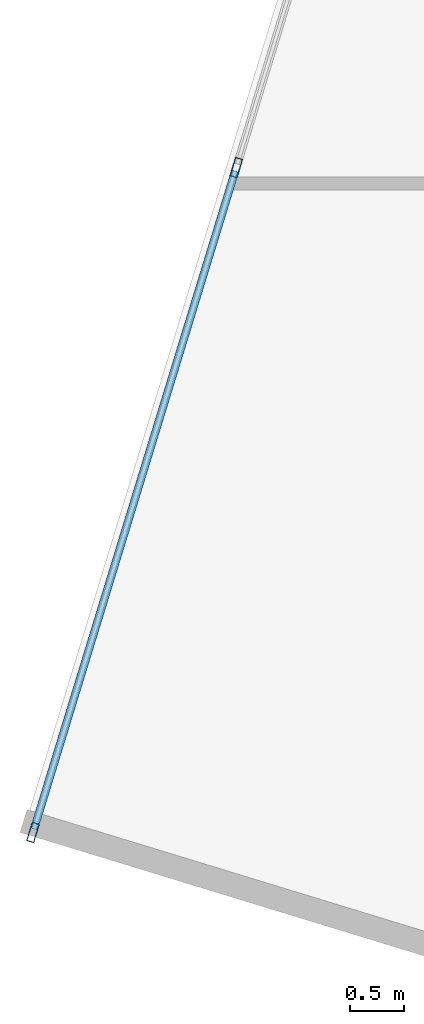
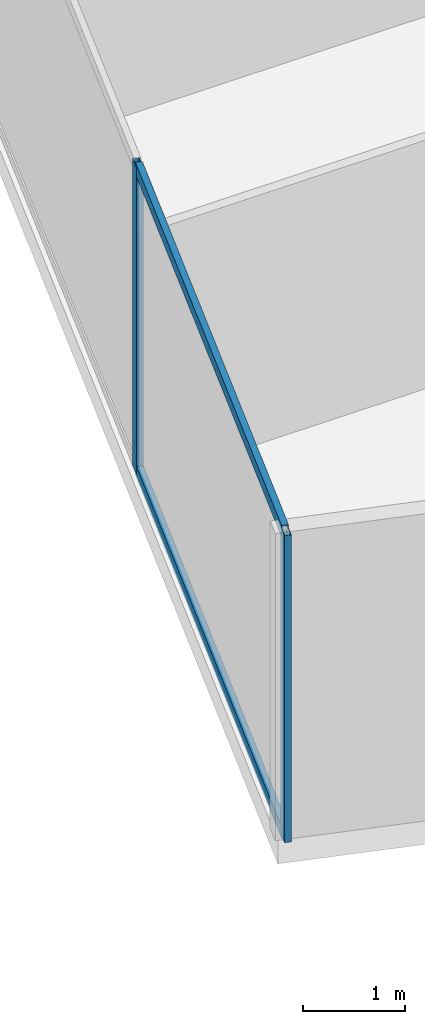
# One storey, part 5 of 26: 4 members, 1 element without a shape of its own.
"""IFC4 building model written with IfcOpenShell, lengths in metres."""

import ifcopenshell
import ifcopenshell.guid

model = None  # the IFC model being written
_history = None  # IfcOwnerHistory: only IFC2X3 demands one
_inside = {}  # id of a spatial element -> (the spatial element, [elements in it])
_under = {}  # id of a project, library or spatial element -> (it, [spatial elements below it])
_declared = {}  # id of a project -> (the project, [libraries it declares])
_typed = {}  # id of a type object -> (the type object, [elements of that type])
_made_of = {}  # id of a material, layer set ... -> (it, [elements and type objects made of it])


def new_model(schema):
    """Start an empty IFC model of exactly this schema.

    Asked for "IFC4X3", IfcOpenShell would pick the latest addendum, in which some entities
    have other attributes; the version numbers below select the first issue.
    IFC2X3 requires an IfcOwnerHistory on every rooted entity: one is made here for all.
    """
    global model, _history
    if schema == "IFC4X3":
        model = ifcopenshell.file(schema_version=(4, 3, 0, 0))
    else:
        model = ifcopenshell.file(schema=schema)
    _inside.clear()
    _under.clear()
    _declared.clear()
    _typed.clear()
    _made_of.clear()
    _history = None
    if model.schema == "IFC2X3":
        org = make("IfcOrganization", Name="unknown")
        user = make(
            "IfcPersonAndOrganization",
            ThePerson=make("IfcPerson", FamilyName="unknown"),
            TheOrganization=org,
        )
        app = make(
            "IfcApplication",
            ApplicationDeveloper=org,
            Version="unknown",
            ApplicationFullName="unknown",
            ApplicationIdentifier="unknown",
        )
        _history = make(
            "IfcOwnerHistory",
            OwningUser=user,
            OwningApplication=app,
            ChangeAction="ADDED",
            CreationDate=0,
        )
    return model


def make(cls, **values):
    """One entity of the class cls with the attributes given. An attribute that is None is left unset."""
    return model.create_entity(
        cls, **{name: value for name, value in values.items() if value is not None}
    )


def rooted(cls, **values):
    """An entity with a GlobalId (a new one), such as an element, a storey or a relation."""
    return make(cls, GlobalId=ifcopenshell.guid.new(), OwnerHistory=_history, **values)


def si_unit(unit_type, name, prefix=None):
    """IfcSIUnit, for example si_unit("LENGTHUNIT", "METRE", prefix="MILLI")."""
    return make("IfcSIUnit", UnitType=unit_type, Prefix=prefix, Name=name)


def assignment(units):
    """IfcUnitAssignment: the units of a project."""
    return None if units is None else make("IfcUnitAssignment", Units=units)


def point(xyz):
    """IfcCartesianPoint."""
    return None if xyz is None else make("IfcCartesianPoint", Coordinates=xyz)


def direction(xyz):
    """IfcDirection."""
    return None if xyz is None else make("IfcDirection", DirectionRatios=xyz)


def frame(location, z_axis=None, x_axis=None):
    """IfcAxis2Placement3D, a coordinate frame: its origin and axes. An axis left out is left unset."""
    return make(
        "IfcAxis2Placement3D",
        Location=point(location),
        Axis=direction(z_axis),
        RefDirection=direction(x_axis),
    )


def frame_2d(location, x_axis=None):
    """IfcAxis2Placement2D, a coordinate frame in the plane: its origin and x axis."""
    return make(
        "IfcAxis2Placement2D", Location=point(location), RefDirection=direction(x_axis)
    )


def origin():
    """The frame at (0, 0, 0) with its axes left unset."""
    return frame((0.0, 0.0, 0.0))


def origin_2d():
    """The frame at (0, 0) in the plane with its x axis left unset."""
    return frame_2d((0.0, 0.0))


def place(relative_to, where):
    """IfcLocalPlacement: puts the frame where relative to a parent placement (None: the world)."""
    return make(
        "IfcLocalPlacement", PlacementRelTo=relative_to, RelativePlacement=where
    )


def context(
    kind, dimensions, precision=None, world=None, true_north=None, identifier=None
):
    """IfcGeometricRepresentationContext, for example the 3D "Model" context."""
    return make(
        "IfcGeometricRepresentationContext",
        ContextIdentifier=identifier,
        ContextType=kind,
        CoordinateSpaceDimension=dimensions,
        Precision=precision,
        WorldCoordinateSystem=world,
        TrueNorth=true_north,
    )


def subcontext(parent, identifier, kind, view, scale=None):
    """IfcGeometricRepresentationSubContext, for example "Body" below "Model"."""
    return make(
        "IfcGeometricRepresentationSubContext",
        ContextIdentifier=identifier,
        ContextType=kind,
        ParentContext=parent,
        TargetScale=scale,
        TargetView=view,
    )


def project(units=None, contexts=None):
    """IfcProject with its units and contexts."""
    return rooted(
        "IfcProject",
        Name="project",
        RepresentationContexts=contexts,
        UnitsInContext=assignment(units),
    )


def spatial(cls, under=None, at=None, **own):
    """A site, building, storey or space (cls), placed at a placement, below another one or the project."""
    s = rooted(cls, ObjectPlacement=at, **own)
    if under is not None:
        _under.setdefault(under.id(), (under, []))[1].append(s)
    return s


def profile(cls, at=None, kind="AREA", **sizes):
    """A parametric profile (cls). Its sizes go by their IFC names, for example OverallWidth=200.0."""
    return make(cls, ProfileType=kind, Position=at, **sizes)


def hollow_rectangle(**sizes):
    """IfcRectangleHollowProfileDef."""
    return profile("IfcRectangleHollowProfileDef", **sizes)


def extrude(swept, where, along, depth):
    """IfcExtrudedAreaSolid: the profile swept, set in the frame where, extruded along a direction by depth."""
    return make(
        "IfcExtrudedAreaSolid",
        SweptArea=swept,
        Position=where,
        ExtrudedDirection=direction(along),
        Depth=depth,
    )


def shape(context_of_items, identifier, shape_type, items):
    """IfcShapeRepresentation: the items that make up one representation, for example the "Body"."""
    return make(
        "IfcShapeRepresentation",
        ContextOfItems=context_of_items,
        RepresentationIdentifier=identifier,
        RepresentationType=shape_type,
        Items=items,
    )


def source(mapping_origin, context_of_items, identifier, shape_type, items):
    """IfcRepresentationMap: a shape defined once, which mapped items show again and again."""
    return make(
        "IfcRepresentationMap",
        MappingOrigin=mapping_origin,
        MappedRepresentation=shape(context_of_items, identifier, shape_type, items),
    )


def transform(
    local_origin,
    x_axis=None,
    y_axis=None,
    z_axis=None,
    scale=None,
    scale2=None,
    scale3=None,
    uniform=True,
):
    """IfcCartesianTransformationOperator3D, or its non-uniform kind. x_axis, y_axis, z_axis: its Axis1, 2, 3."""
    if uniform:
        return make(
            "IfcCartesianTransformationOperator3D",
            Axis1=direction(x_axis),
            Axis2=direction(y_axis),
            LocalOrigin=point(local_origin),
            Scale=scale,
            Axis3=direction(z_axis),
        )
    return make(
        "IfcCartesianTransformationOperator3DnonUniform",
        Axis1=direction(x_axis),
        Axis2=direction(y_axis),
        LocalOrigin=point(local_origin),
        Scale=scale,
        Axis3=direction(z_axis),
        Scale2=scale2,
        Scale3=scale3,
    )


def mapped(mapping_source, mapping_target):
    """IfcMappedItem: shows the shape of a source again, moved by a transform."""
    return make(
        "IfcMappedItem", MappingSource=mapping_source, MappingTarget=mapping_target
    )


def material(Name=None, Category=None):
    """IfcMaterial."""
    return make("IfcMaterial", Name=Name, Category=Category)


def material_profile(
    of_material, cross_section, Name=None, Category=None, Priority=None
):
    """IfcMaterialProfile: a cross section and its material."""
    return make(
        "IfcMaterialProfile",
        Name=Name,
        Material=of_material,
        Profile=cross_section,
        Priority=Priority,
        Category=Category,
    )


def profile_set(profiles, Name=None, composite=None):
    """IfcMaterialProfileSet."""
    return make(
        "IfcMaterialProfileSet",
        Name=Name,
        MaterialProfiles=profiles,
        CompositeProfile=composite,
    )


def made_of(thing, what):
    """Note that an element or type object is made of a material, layer set ...; save() writes the relation."""
    if what is not None:
        _made_of.setdefault(what.id(), (what, []))[1].append(thing)
    return thing


def type_object(cls, material=None, **own):
    """A type object (cls), such as IfcWallType, which elements share."""
    return made_of(rooted(cls, **own), material)


def type_shapes(of_type, sources):
    """Give a type object the sources (RepresentationMaps) that its elements show as mapped items."""
    of_type.RepresentationMaps = sources


def element(
    cls,
    number,
    at=None,
    inside=None,
    cuts=None,
    type_object=None,
    material=None,
    context=None,
    identifier="Body",
    shape_type=None,
    held_by="IfcProductDefinitionShape",
    body=None,
    shapes=None,
    **own,
):
    """One element of the class cls, such as IfcWall. Its Tag is "e" and its number.

    at: its placement. inside: the storey or other place that contains it. cuts: it is an
    opening in that element (IfcRelVoidsElement). A single representation is given by context,
    identifier, shape_type and body (its items); several are given by shapes. held_by: the class
    of the entity that holds the representations. save() writes the other relations.
    """
    e = rooted(cls, Tag="e%d" % number, ObjectPlacement=at, **own)
    if body is not None:
        shapes = [shape(context, identifier, shape_type, body)]
    if shapes is not None:
        e.Representation = make(held_by, Representations=shapes)
    if inside is not None:
        _inside.setdefault(inside.id(), (inside, []))[1].append(e)
    if cuts is not None:
        rooted(
            "IfcRelVoidsElement", RelatingBuildingElement=cuts, RelatedOpeningElement=e
        )
    if type_object is not None:
        _typed.setdefault(type_object.id(), (type_object, []))[1].append(e)
    return made_of(e, material)


def aggregate(whole, parts):
    """IfcRelAggregates: a whole, such as a stair, and the parts it consists of."""
    return rooted("IfcRelAggregates", RelatingObject=whole, RelatedObjects=parts)


def save(model, path):
    """Write the relations noted so far, then the file.

    IfcRelAggregates (storeys below a building ...), IfcRelContainedInSpatialStructure (elements
    in a storey), IfcRelDefinesByType, IfcRelAssociatesMaterial and IfcRelDeclares: one each for
    every whole, place, type object, material and project.
    """
    for whole, parts in _under.values():
        aggregate(whole, parts)
    for where, things in _inside.values():
        rooted(
            "IfcRelContainedInSpatialStructure",
            RelatedElements=things,
            RelatingStructure=where,
        )
    for kind, things in _typed.values():
        rooted("IfcRelDefinesByType", RelatedObjects=things, RelatingType=kind)
    for what, things in _made_of.values():
        rooted("IfcRelAssociatesMaterial", RelatedObjects=things, RelatingMaterial=what)
    for by, libraries in _declared.values():
        rooted("IfcRelDeclares", RelatingContext=by, RelatedDefinitions=libraries)
    model.write(path)


model = new_model("IFC4")

# Units and contexts
model_context = context("Model", 3, precision=1e-05, world=origin(), true_north=direction((0.0, 1.0)))
body_context = subcontext(model_context, "Body", "Model", "MODEL_VIEW")
ifc_project = project(units=[si_unit("LENGTHUNIT", "METRE"), si_unit("AREAUNIT", "SQUARE_METRE"), si_unit("VOLUMEUNIT", "CUBIC_METRE"), si_unit("PLANEANGLEUNIT", "RADIAN"), si_unit("MASSUNIT", "GRAM", prefix="KILO")], contexts=[model_context])

# Site, building, storey
site_placement = place(None, origin())
site = spatial("IfcSite", under=ifc_project, at=site_placement, CompositionType="ELEMENT")
building_placement = place(site_placement, origin())
building = spatial("IfcBuilding", under=site, at=building_placement, Name="Krantzveldt Concourse Tower", CompositionType="ELEMENT")
storey_placement = place(building_placement, frame((0.0, 0.0, 113.75)))
storey = spatial("IfcBuildingStorey", under=building, at=storey_placement, Name="L27", CompositionType="ELEMENT", Elevation=113.75)

# Curtain wall, members
ifc_material = material(Name="Anodised aluminium 6063-T6", Category="aluminium")
curtain_wall_type = type_object("IfcCurtainWallType", Name="CW2", PredefinedType="USERDEFINED", material=ifc_material)
curtain_wall_placement = place(storey_placement, origin())
curtain_wall = element("IfcCurtainWall", 1, at=curtain_wall_placement, inside=storey, type_object=curtain_wall_type, Name="CW-L27-F01", ObjectType="UNITISED CURTAIN WALL", PredefinedType="USERDEFINED")
ifc_material_profile_1 = material_profile(ifc_material, hollow_rectangle(XDim=0.070068359375, YDim=0.179931640625, WallThickness=0.0048828125, at=origin_2d()), Name="Anodised aluminium 6063-T6", Category="aluminium")
ifc_profile_set_1 = profile_set([ifc_material_profile_1], Name="Anodised aluminium 6063-T6 - ALU-MULL 180x70x5")
member_type_1 = type_object("IfcMemberType", Name="CW-MUL-180", PredefinedType="MULLION", material=ifc_profile_set_1)
shared_shape_1 = source(origin(), body_context, "Body", "SweptSolid", [
    extrude(hollow_rectangle(XDim=0.070068359375, YDim=0.179931640625, WallThickness=0.0048828125, at=origin_2d()), origin(), (0.0, 0.0, 1.0), 3.669921875),
])
type_shapes(member_type_1, [shared_shape_1])
member_1_placement = place(storey_placement, frame((9.92724609375, 21.14697265625, 0.0), z_axis=(0.0, 0.0, 1.0), x_axis=(0.956304761423, -0.292371686864, 0.0)))
member_1 = element("IfcMember", 2, at=member_1_placement, type_object=member_type_1, Name="CW-Z12 mullion 6", PredefinedType="MULLION", context=body_context, shape_type="MappedRepresentation", body=[
    mapped(shared_shape_1, transform((0.0, 0.0, 0.0), x_axis=(1.0, 0.0, 0.0), y_axis=(0.0, 1.0, 0.0), z_axis=(0.0, 0.0, 1.0), scale=1.0)),
])
member_2_placement = place(storey_placement, frame((8.046875, 14.996337890625, 0.0), z_axis=(0.0, 0.0, 1.0), x_axis=(0.956304761423, -0.292371686864, 0.0)))
member_2 = element("IfcMember", 3, at=member_2_placement, type_object=member_type_1, Name="CW-Z12 mullion 7", PredefinedType="MULLION", context=body_context, shape_type="MappedRepresentation", body=[
    mapped(shared_shape_1, transform((0.0, 0.0, 0.0), x_axis=(1.0, 0.0, 0.0), y_axis=(0.0, 1.0, 0.0), z_axis=(0.0, 0.0, 1.0), scale=1.0)),
])
ifc_material_profile_2 = material_profile(ifc_material, hollow_rectangle(XDim=0.070068359375, YDim=0.139892578125, WallThickness=0.0048828125, at=origin_2d()), Name="Anodised aluminium 6063-T6", Category="aluminium")
ifc_profile_set_2 = profile_set([ifc_material_profile_2], Name="Anodised aluminium 6063-T6 - ALU-TRAN 140x70x5")
member_type_2 = type_object("IfcMemberType", Name="CW-TRN-150", PredefinedType="USERDEFINED", material=ifc_profile_set_2)
shared_shape_2 = source(origin(), body_context, "Body", "SweptSolid", [
    extrude(hollow_rectangle(XDim=0.070068359375, YDim=0.139892578125, WallThickness=0.0048828125, at=origin_2d()), origin(), (0.0, 0.0, 1.0), 6.36181640625),
])
type_shapes(member_type_2, [shared_shape_2])
member_3_placement = place(storey_placement, frame((9.9169921875, 21.113525390625, 0.034912109375), z_axis=(-0.292389152537, -0.956299421457, 0.0), x_axis=(0.956299421457, -0.292389152537, 0.0)))
member_3 = element("IfcMember", 4, at=member_3_placement, type_object=member_type_2, Name="CW-Z12 transom 6.1", ObjectType="TRANSOM", PredefinedType="USERDEFINED", context=body_context, shape_type="MappedRepresentation", body=[
    mapped(shared_shape_2, transform((0.0, 0.0, 0.0), x_axis=(1.0, 0.0, 0.0), y_axis=(0.0, 1.0, 0.0), z_axis=(0.0, 0.0, 1.0), scale=1.0)),
])
member_4_placement = place(storey_placement, frame((9.9169921875, 21.113525390625, 3.635009765625), z_axis=(-0.292389152537, -0.956299421457, 0.0), x_axis=(0.956299421457, -0.292389152537, 0.0)))
member_4 = element("IfcMember", 5, at=member_4_placement, type_object=member_type_2, Name="CW-Z12 transom 6.2", ObjectType="TRANSOM", PredefinedType="USERDEFINED", context=body_context, shape_type="MappedRepresentation", body=[
    mapped(shared_shape_2, transform((0.0, 0.0, 0.0), x_axis=(1.0, 0.0, 0.0), y_axis=(0.0, 1.0, 0.0), z_axis=(0.0, 0.0, 1.0), scale=1.0)),
])
aggregate(curtain_wall, [member_1, member_2, member_3, member_4])

save(model, "model.ifc")
